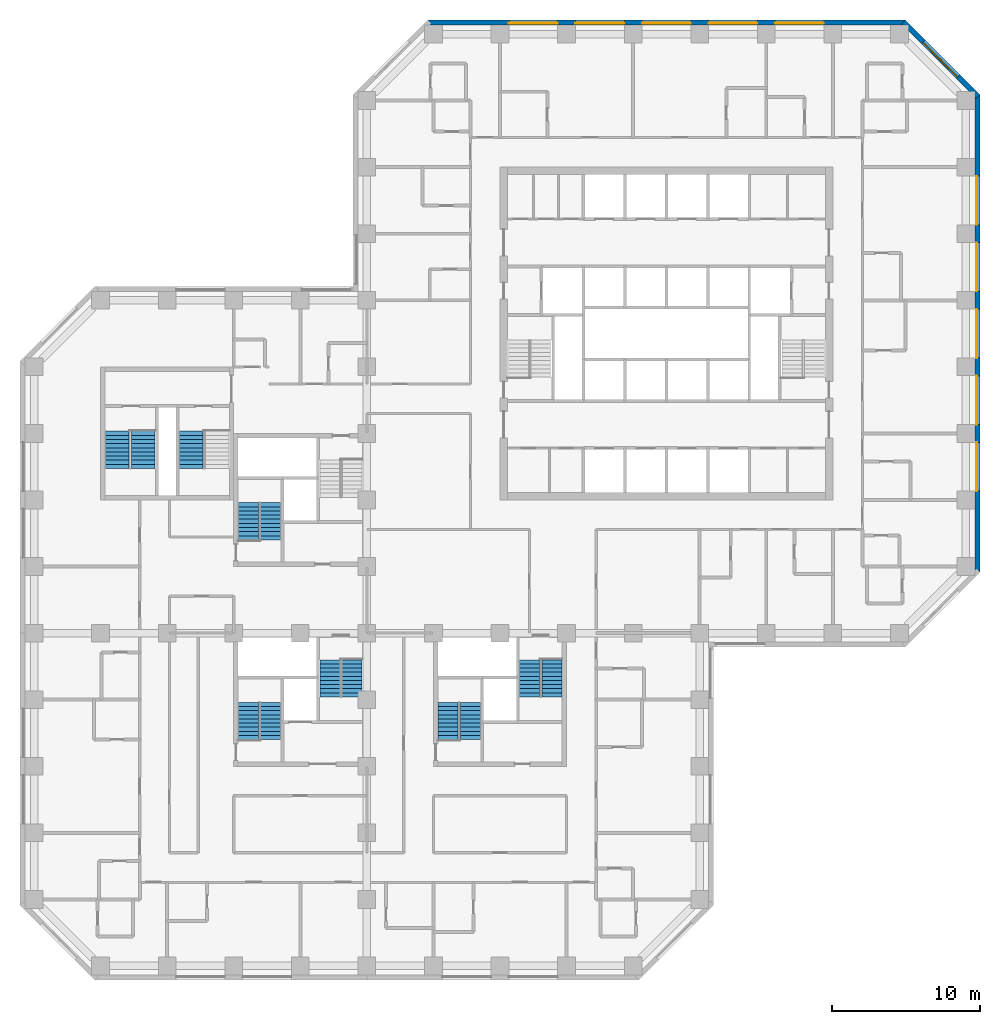
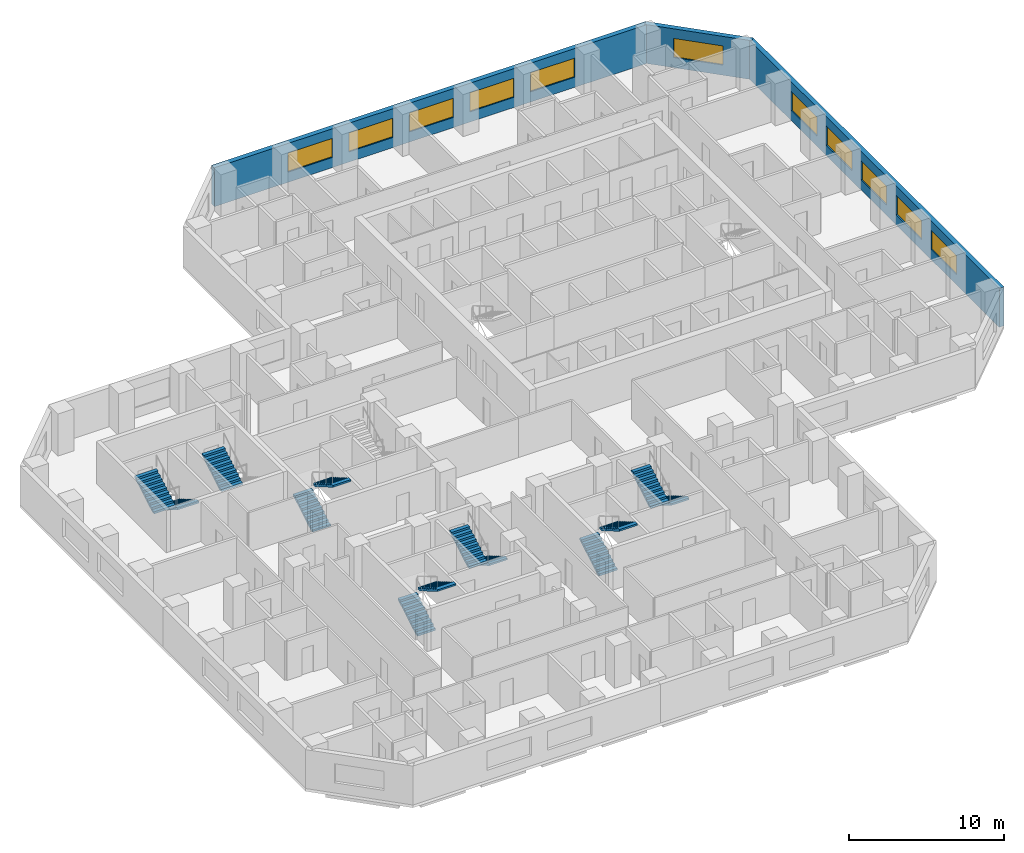
# One storey, part 10 of 12: 13 stair flights, 11 windows, 3 walls, 11 openings, 7 elements without a shape of their own.
"""IFC4 building model written with IfcOpenShell, lengths in metres."""

from ifc_helpers import new_model, si_unit, direction, frame, frame_2d, origin, place, context, subcontext, project, spatial, polyline, rectangle, outline, extrude, material, layer, layer_set, constituent, constituent_set, type_object, element, fill, aggregate, save


model = new_model("IFC4")

# Units and contexts
model_context = context("Model", 3, precision=1e-05, world=origin(), true_north=direction((0.0, 1.0)))
body_context = subcontext(model_context, "Body", "Model", "MODEL_VIEW")
ifc_project = project(units=[si_unit("LENGTHUNIT", "METRE"), si_unit("AREAUNIT", "SQUARE_METRE"), si_unit("VOLUMEUNIT", "CUBIC_METRE"), si_unit("PLANEANGLEUNIT", "RADIAN"), si_unit("MASSUNIT", "GRAM", prefix="KILO")], contexts=[model_context])

# Site, building, storey
site_placement = place(None, origin())
site = spatial("IfcSite", under=ifc_project, at=site_placement, CompositionType="ELEMENT")
building_placement = place(site_placement, origin())
building = spatial("IfcBuilding", under=site, at=building_placement, Name="Quoin Convention Tower", CompositionType="ELEMENT")
storey_placement = place(building_placement, frame((0.0, 0.0, 42.89990234375)))
storey = spatial("IfcBuildingStorey", under=building, at=storey_placement, Name="L10", CompositionType="ELEMENT", Elevation=42.89990234375)

# Wall, openings, windows
ifc_material_1 = material(Name="Brick masonry", Category="masonry")
ifc_layer = layer(ifc_material_1, 0.35009765625)
ifc_layer_set = layer_set([ifc_layer], Name="Brick masonry")
wall_type = type_object("IfcWallType", Name="Brick facade wall", PredefinedType="STANDARD", material=ifc_layer_set)
wall_1_placement = place(storey_placement, frame((77.27490234375, 44.6064453125, 0.0), z_axis=(0.0, 0.0, 1.0), x_axis=(0.0, 1.0, 0.0)))
wall_1 = element("IfcWall", 1, at=wall_1_placement, inside=storey, type_object=wall_type, Name="fw-L10-76500_45000", PredefinedType="STANDARD", context=body_context, shape_type="SweptSolid", body=[
    extrude(rectangle(XDim=32.287109375, YDim=0.35009765625, at=frame_2d((16.1435546875, 0.0))), origin(), (0.0, 0.0, 1.0), 3.05517578125),
])
opening_1_placement = place(wall_1_placement, frame((5.493408203125, 0.0, 0.800048828125)))
opening_1 = element("IfcOpeningElement", 2, at=opening_1_placement, cuts=wall_1, Name="Opening W-01", PredefinedType="OPENING", context=body_context, shape_type="SweptSolid", body=[
    extrude(rectangle(XDim=3.300048828125, YDim=1.5, at=frame_2d((1.64990234375, 0.75))), frame((0.0, 0.18505859375, 0.0), z_axis=(0.0, -1.0, 0.0), x_axis=(1.0, 0.0, 0.0)), (0.0, 0.0, 1.0), 0.3701171875),
])
opening_2_placement = place(wall_1_placement, frame((9.993408203125, 0.0, 0.800048828125)))
opening_2 = element("IfcOpeningElement", 3, at=opening_2_placement, cuts=wall_1, Name="Opening W-01", PredefinedType="OPENING", context=body_context, shape_type="SweptSolid", body=[
    extrude(rectangle(XDim=3.300048828125, YDim=1.5, at=frame_2d((1.64990234375, 0.75))), frame((0.0, 0.18505859375, 0.0), z_axis=(0.0, -1.0, 0.0), x_axis=(1.0, 0.0, 0.0)), (0.0, 0.0, 1.0), 0.3701171875),
])
opening_3_placement = place(wall_1_placement, frame((14.493408203125, 0.0, 0.800048828125)))
opening_3 = element("IfcOpeningElement", 4, at=opening_3_placement, cuts=wall_1, Name="Opening W-01", PredefinedType="OPENING", context=body_context, shape_type="SweptSolid", body=[
    extrude(rectangle(XDim=3.300048828125, YDim=1.5, at=frame_2d((1.64990234375, 0.75))), frame((0.0, 0.18505859375, 0.0), z_axis=(0.0, -1.0, 0.0), x_axis=(1.0, 0.0, 0.0)), (0.0, 0.0, 1.0), 0.3701171875),
])
opening_4_placement = place(wall_1_placement, frame((18.993408203125, 0.0, 0.800048828125)))
opening_4 = element("IfcOpeningElement", 5, at=opening_4_placement, cuts=wall_1, Name="Opening W-01", PredefinedType="OPENING", context=body_context, shape_type="SweptSolid", body=[
    extrude(rectangle(XDim=3.300048828125, YDim=1.5, at=frame_2d((1.64990234375, 0.75))), frame((0.0, 0.18505859375, 0.0), z_axis=(0.0, -1.0, 0.0), x_axis=(1.0, 0.0, 0.0)), (0.0, 0.0, 1.0), 0.3701171875),
])
opening_5_placement = place(wall_1_placement, frame((23.493408203125, 0.0, 0.800048828125)))
opening_5 = element("IfcOpeningElement", 6, at=opening_5_placement, cuts=wall_1, Name="Opening W-01", PredefinedType="OPENING", context=body_context, shape_type="SweptSolid", body=[
    extrude(rectangle(XDim=3.300048828125, YDim=1.5, at=frame_2d((1.64990234375, 0.75))), frame((0.0, 0.18505859375, 0.0), z_axis=(0.0, -1.0, 0.0), x_axis=(1.0, 0.0, 0.0)), (0.0, 0.0, 1.0), 0.3701171875),
])
ifc_material_2 = material(Name="Aluminium", Category="aluminium")
ifc_constituent_1 = constituent(ifc_material_2, Name="Frame")
ifc_material_3 = material(Name="Insulated glass", Category="glass")
ifc_constituent_2 = constituent(ifc_material_3, Name="Glazing")
ifc_constituent_set = constituent_set(constituents=[ifc_constituent_1, ifc_constituent_2], Name="Aluminium")
window_type = type_object("IfcWindowType", Name="Hotel strip window", PartitioningType="DOUBLE_PANEL_VERTICAL", PredefinedType="WINDOW", material=ifc_constituent_set)
window_1_placement = place(opening_1_placement, origin())
window_1 = element("IfcWindow", 7, at=window_1_placement, inside=storey, type_object=window_type, Name="win-L10-77275_51750", OverallHeight=1.5, OverallWidth=3.300048828125, PartitioningType="SINGLE_PANEL", PredefinedType="WINDOW", context=body_context, shape_type="SweptSolid", body=[
    extrude(rectangle(XDim=3.300048828125, YDim=1.5, at=frame_2d((1.64990234375, 0.75))), frame((0.0, 0.0849609375, 0.0), z_axis=(0.0, -1.0, 0.0), x_axis=(1.0, 0.0, 0.0)), (0.0, 0.0, 1.0), 0.06005859375),
])
fill(opening_1, window_1)
window_2_placement = place(opening_2_placement, origin())
window_2 = element("IfcWindow", 8, at=window_2_placement, inside=storey, type_object=window_type, Name="win-L10-77275_56250", OverallHeight=1.5, OverallWidth=3.300048828125, PartitioningType="SINGLE_PANEL", PredefinedType="WINDOW", context=body_context, shape_type="SweptSolid", body=[
    extrude(rectangle(XDim=3.300048828125, YDim=1.5, at=frame_2d((1.64990234375, 0.75))), frame((0.0, 0.0849609375, 0.0), z_axis=(0.0, -1.0, 0.0), x_axis=(1.0, 0.0, 0.0)), (0.0, 0.0, 1.0), 0.06005859375),
])
fill(opening_2, window_2)
window_3_placement = place(opening_3_placement, origin())
window_3 = element("IfcWindow", 9, at=window_3_placement, inside=storey, type_object=window_type, Name="win-L10-77275_60750", OverallHeight=1.5, OverallWidth=3.300048828125, PartitioningType="SINGLE_PANEL", PredefinedType="WINDOW", context=body_context, shape_type="SweptSolid", body=[
    extrude(rectangle(XDim=3.300048828125, YDim=1.5, at=frame_2d((1.64990234375, 0.75))), frame((0.0, 0.0849609375, 0.0), z_axis=(0.0, -1.0, 0.0), x_axis=(1.0, 0.0, 0.0)), (0.0, 0.0, 1.0), 0.06005859375),
])
fill(opening_3, window_3)
window_4_placement = place(opening_4_placement, origin())
window_4 = element("IfcWindow", 10, at=window_4_placement, inside=storey, type_object=window_type, Name="win-L10-77275_65250", OverallHeight=1.5, OverallWidth=3.300048828125, PartitioningType="SINGLE_PANEL", PredefinedType="WINDOW", context=body_context, shape_type="SweptSolid", body=[
    extrude(rectangle(XDim=3.300048828125, YDim=1.5, at=frame_2d((1.64990234375, 0.75))), frame((0.0, 0.0849609375, 0.0), z_axis=(0.0, -1.0, 0.0), x_axis=(1.0, 0.0, 0.0)), (0.0, 0.0, 1.0), 0.06005859375),
])
fill(opening_4, window_4)
window_5_placement = place(opening_5_placement, origin())
window_5 = element("IfcWindow", 11, at=window_5_placement, inside=storey, type_object=window_type, Name="win-L10-77275_69750", OverallHeight=1.5, OverallWidth=3.300048828125, PartitioningType="SINGLE_PANEL", PredefinedType="WINDOW", context=body_context, shape_type="SweptSolid", body=[
    extrude(rectangle(XDim=3.300048828125, YDim=1.5, at=frame_2d((1.64990234375, 0.75))), frame((0.0, 0.0849609375, 0.0), z_axis=(0.0, -1.0, 0.0), x_axis=(1.0, 0.0, 0.0)), (0.0, 0.0, 1.0), 0.06005859375),
])
fill(opening_5, window_5)

# Wall, opening, window
wall_2_placement = place(storey_placement, frame((77.326416015625, 76.769775390625, 0.0), z_axis=(0.0, 0.0, 1.0), x_axis=(-0.707106781187, 0.707106781187, 0.0)))
wall_2 = element("IfcWall", 12, at=wall_2_placement, inside=storey, type_object=wall_type, Name="fw-L10-76500_76500", PredefinedType="STANDARD", context=body_context, shape_type="SweptSolid", body=[
    extrude(rectangle(XDim=7.151123046875, YDim=0.35009765625, at=frame_2d((3.57568359375, 0.0))), origin(), (0.0, 0.0, 1.0), 3.05517578125),
])
opening_6_placement = place(wall_2_placement, frame((1.925537109375, 0.0, 0.800048828125)))
opening_6 = element("IfcOpeningElement", 13, at=opening_6_placement, cuts=wall_2, Name="Opening W-01", PredefinedType="OPENING", context=body_context, shape_type="SweptSolid", body=[
    extrude(rectangle(XDim=3.300048828125, YDim=1.5, at=frame_2d((1.64990234375, 0.75))), frame((0.0, 0.18505859375, 0.0), z_axis=(0.0, -1.0, 0.0), x_axis=(1.0, 0.0, 0.0)), (0.0, 0.0, 1.0), 0.3701171875),
])
window_6_placement = place(opening_6_placement, origin())
window_6 = element("IfcWindow", 14, at=window_6_placement, inside=storey, type_object=window_type, Name="win-L10-74798_79298", OverallHeight=1.5, OverallWidth=3.300048828125, PartitioningType="SINGLE_PANEL", PredefinedType="WINDOW", context=body_context, shape_type="SweptSolid", body=[
    extrude(rectangle(XDim=3.300048828125, YDim=1.5, at=frame_2d((1.64990234375, 0.75))), frame((0.0, 0.0849609375, 0.0), z_axis=(0.0, -1.0, 0.0), x_axis=(1.0, 0.0, 0.0)), (0.0, 0.0, 1.0), 0.06005859375),
])
fill(opening_6, window_6)

# Wall, openings, windows
wall_3_placement = place(storey_placement, frame((72.3935546875, 81.77490234375, 0.0), z_axis=(0.0, 0.0, 1.0), x_axis=(-1.0, 0.0, 0.0)))
wall_3 = element("IfcWall", 15, at=wall_3_placement, inside=storey, type_object=wall_type, Name="fw-L10-72000_81000", PredefinedType="STANDARD", context=body_context, shape_type="SweptSolid", body=[
    extrude(rectangle(XDim=32.287109375, YDim=0.35009765625, at=frame_2d((16.1435546875, 0.0))), origin(), (0.0, 0.0, 1.0), 3.05517578125),
])
opening_7_placement = place(wall_3_placement, frame((5.493408203125, 0.0, 0.800048828125)))
opening_7 = element("IfcOpeningElement", 16, at=opening_7_placement, cuts=wall_3, Name="Opening W-01", PredefinedType="OPENING", context=body_context, shape_type="SweptSolid", body=[
    extrude(rectangle(XDim=3.300048828125, YDim=1.5, at=frame_2d((1.64990234375, 0.75))), frame((0.0, 0.18505859375, 0.0), z_axis=(0.0, -1.0, 0.0), x_axis=(1.0, 0.0, 0.0)), (0.0, 0.0, 1.0), 0.3701171875),
])
opening_8_placement = place(wall_3_placement, frame((9.993408203125, 0.0, 0.800048828125)))
opening_8 = element("IfcOpeningElement", 17, at=opening_8_placement, cuts=wall_3, Name="Opening W-01", PredefinedType="OPENING", context=body_context, shape_type="SweptSolid", body=[
    extrude(rectangle(XDim=3.300048828125, YDim=1.5, at=frame_2d((1.64990234375, 0.75))), frame((0.0, 0.18505859375, 0.0), z_axis=(0.0, -1.0, 0.0), x_axis=(1.0, 0.0, 0.0)), (0.0, 0.0, 1.0), 0.3701171875),
])
opening_9_placement = place(wall_3_placement, frame((14.493408203125, 0.0, 0.800048828125)))
opening_9 = element("IfcOpeningElement", 18, at=opening_9_placement, cuts=wall_3, Name="Opening W-01", PredefinedType="OPENING", context=body_context, shape_type="SweptSolid", body=[
    extrude(rectangle(XDim=3.300048828125, YDim=1.5, at=frame_2d((1.64990234375, 0.75))), frame((0.0, 0.18505859375, 0.0), z_axis=(0.0, -1.0, 0.0), x_axis=(1.0, 0.0, 0.0)), (0.0, 0.0, 1.0), 0.3701171875),
])
opening_10_placement = place(wall_3_placement, frame((18.993408203125, 0.0, 0.800048828125)))
opening_10 = element("IfcOpeningElement", 19, at=opening_10_placement, cuts=wall_3, Name="Opening W-01", PredefinedType="OPENING", context=body_context, shape_type="SweptSolid", body=[
    extrude(rectangle(XDim=3.300048828125, YDim=1.5, at=frame_2d((1.64990234375, 0.75))), frame((0.0, 0.18505859375, 0.0), z_axis=(0.0, -1.0, 0.0), x_axis=(1.0, 0.0, 0.0)), (0.0, 0.0, 1.0), 0.3701171875),
])
opening_11_placement = place(wall_3_placement, frame((23.493408203125, 0.0, 0.800048828125)))
opening_11 = element("IfcOpeningElement", 20, at=opening_11_placement, cuts=wall_3, Name="Opening W-01", PredefinedType="OPENING", context=body_context, shape_type="SweptSolid", body=[
    extrude(rectangle(XDim=3.300048828125, YDim=1.5, at=frame_2d((1.64990234375, 0.75))), frame((0.0, 0.18505859375, 0.0), z_axis=(0.0, -1.0, 0.0), x_axis=(1.0, 0.0, 0.0)), (0.0, 0.0, 1.0), 0.3701171875),
])
window_7_placement = place(opening_7_placement, origin())
window_7 = element("IfcWindow", 21, at=window_7_placement, inside=storey, type_object=window_type, Name="win-L10-65250_81775", OverallHeight=1.5, OverallWidth=3.300048828125, PartitioningType="SINGLE_PANEL", PredefinedType="WINDOW", context=body_context, shape_type="SweptSolid", body=[
    extrude(rectangle(XDim=3.300048828125, YDim=1.5, at=frame_2d((1.64990234375, 0.75))), frame((0.0, 0.0849609375, 0.0), z_axis=(0.0, -1.0, 0.0), x_axis=(1.0, 0.0, 0.0)), (0.0, 0.0, 1.0), 0.06005859375),
])
fill(opening_7, window_7)
window_8_placement = place(opening_8_placement, origin())
window_8 = element("IfcWindow", 22, at=window_8_placement, inside=storey, type_object=window_type, Name="win-L10-60750_81775", OverallHeight=1.5, OverallWidth=3.300048828125, PartitioningType="SINGLE_PANEL", PredefinedType="WINDOW", context=body_context, shape_type="SweptSolid", body=[
    extrude(rectangle(XDim=3.300048828125, YDim=1.5, at=frame_2d((1.64990234375, 0.75))), frame((0.0, 0.0849609375, 0.0), z_axis=(0.0, -1.0, 0.0), x_axis=(1.0, 0.0, 0.0)), (0.0, 0.0, 1.0), 0.06005859375),
])
fill(opening_8, window_8)
window_9_placement = place(opening_9_placement, origin())
window_9 = element("IfcWindow", 23, at=window_9_placement, inside=storey, type_object=window_type, Name="win-L10-56250_81775", OverallHeight=1.5, OverallWidth=3.300048828125, PartitioningType="SINGLE_PANEL", PredefinedType="WINDOW", context=body_context, shape_type="SweptSolid", body=[
    extrude(rectangle(XDim=3.300048828125, YDim=1.5, at=frame_2d((1.64990234375, 0.75))), frame((0.0, 0.0849609375, 0.0), z_axis=(0.0, -1.0, 0.0), x_axis=(1.0, 0.0, 0.0)), (0.0, 0.0, 1.0), 0.06005859375),
])
fill(opening_9, window_9)
window_10_placement = place(opening_10_placement, origin())
window_10 = element("IfcWindow", 24, at=window_10_placement, inside=storey, type_object=window_type, Name="win-L10-51750_81775", OverallHeight=1.5, OverallWidth=3.300048828125, PartitioningType="SINGLE_PANEL", PredefinedType="WINDOW", context=body_context, shape_type="SweptSolid", body=[
    extrude(rectangle(XDim=3.300048828125, YDim=1.5, at=frame_2d((1.64990234375, 0.75))), frame((0.0, 0.0849609375, 0.0), z_axis=(0.0, -1.0, 0.0), x_axis=(1.0, 0.0, 0.0)), (0.0, 0.0, 1.0), 0.06005859375),
])
fill(opening_10, window_10)
window_11_placement = place(opening_11_placement, origin())
window_11 = element("IfcWindow", 25, at=window_11_placement, inside=storey, type_object=window_type, Name="win-L10-47250_81775", OverallHeight=1.5, OverallWidth=3.300048828125, PartitioningType="SINGLE_PANEL", PredefinedType="WINDOW", context=body_context, shape_type="SweptSolid", body=[
    extrude(rectangle(XDim=3.300048828125, YDim=1.5, at=frame_2d((1.64990234375, 0.75))), frame((0.0, 0.0849609375, 0.0), z_axis=(0.0, -1.0, 0.0), x_axis=(1.0, 0.0, 0.0)), (0.0, 0.0, 1.0), 0.06005859375),
])
fill(opening_11, window_11)

# Stair, stair flights
ifc_material_4 = material(Name="Concrete C40", Category="concrete")
stair_type_1 = type_object("IfcStairType", Name="Exit stair two-flight 1350", PredefinedType="HALF_TURN_STAIR", material=ifc_material_4)
stair_1_placement = place(storey_placement, origin())
stair_1 = element("IfcStair", 26, at=stair_1_placement, inside=storey, type_object=stair_type_1, Name="SD3 L10", PredefinedType="HALF_TURN_STAIR")
stair_flight_type_1 = type_object("IfcStairFlightType", Name="Stair flight 1350", PredefinedType="STRAIGHT", material=ifc_material_4)
stair_flight_1_placement = place(storey_placement, frame((28.0, 46.800048828125, 0.0), z_axis=(0.0, 0.0, 1.0), x_axis=(0.0, 1.0, 0.0)))
stair_flight_1 = element("IfcStairFlight", 27, at=stair_flight_1_placement, type_object=stair_flight_type_1, Name="ST3 flight 1", NumberOfRisers=10, NumberOfTreads=9, PredefinedType="STRAIGHT", RiserHeight=0.165, TreadLength=0.28, context=body_context, shape_type="SweptSolid", body=[
    extrude(outline(polyline([(0.0, 0.0), (0.0, 0.1650390625), (0.280029296875, 0.1650390625), (0.280029296875, 0.330078125), (0.56005859375, 0.330078125), (0.56005859375, 0.4951171875), (0.840087890625, 0.4951171875), (0.840087890625, 0.659912109375), (1.1201171875, 0.659912109375), (1.1201171875, 0.824951171875), (1.39990234375, 0.824951171875), (1.39990234375, 0.989990234375), (1.679931640625, 0.989990234375), (1.679931640625, 1.155029296875), (1.9599609375, 1.155029296875), (1.9599609375, 1.320068359375), (2.239990234375, 1.320068359375), (2.239990234375, 1.485107421875), (2.52001953125, 1.485107421875), (2.52001953125, 1.64990234375), (2.52001953125, 1.345458984375), (0.236572265625, 0.0), (0.0, 0.0)])), frame((0.0, 0.675048828125, 0.0), z_axis=(0.0, -1.0, 0.0), x_axis=(1.0, 0.0, 0.0)), (0.0, 0.0, 1.0), 1.35009765625),
])
stair_flight_2_placement = place(storey_placement, frame((29.5, 49.320068359375, 1.650146484375), z_axis=(0.0, 0.0, 1.0), x_axis=(0.0, -1.0, 0.0)))
stair_flight_2 = element("IfcStairFlight", 28, at=stair_flight_2_placement, type_object=stair_flight_type_1, Name="ST3 flight 2", NumberOfRisers=10, NumberOfTreads=9, PredefinedType="STRAIGHT", RiserHeight=0.165, TreadLength=0.28, context=body_context, shape_type="SweptSolid", body=[
    extrude(outline(polyline([(0.0, 0.0), (0.0, 0.1650390625), (0.280029296875, 0.1650390625), (0.280029296875, 0.330078125), (0.56005859375, 0.330078125), (0.56005859375, 0.4951171875), (0.840087890625, 0.4951171875), (0.840087890625, 0.659912109375), (1.1201171875, 0.659912109375), (1.1201171875, 0.824951171875), (1.39990234375, 0.824951171875), (1.39990234375, 0.989990234375), (1.679931640625, 0.989990234375), (1.679931640625, 1.155029296875), (1.9599609375, 1.155029296875), (1.9599609375, 1.320068359375), (2.239990234375, 1.320068359375), (2.239990234375, 1.485107421875), (2.52001953125, 1.485107421875), (2.52001953125, 1.64990234375), (2.52001953125, 1.345458984375), (0.236572265625, 0.0), (0.0, 0.0)])), frame((0.0, 0.675048828125, 0.0), z_axis=(0.0, -1.0, 0.0), x_axis=(1.0, 0.0, 0.0)), (0.0, 0.0, 1.0), 1.35009765625),
])
aggregate(stair_1, [stair_flight_1, stair_flight_2])

stair_2_placement = place(storey_placement, origin())
stair_2 = element("IfcStair", 29, at=stair_2_placement, inside=storey, type_object=stair_type_1, Name="SD5 L10", PredefinedType="HALF_TURN_STAIR")
stair_flight_3_placement = place(storey_placement, frame((41.5, 33.300048828125, 0.0), z_axis=(0.0, 0.0, 1.0), x_axis=(0.0, 1.0, 0.0)))
stair_flight_3 = element("IfcStairFlight", 30, at=stair_flight_3_placement, type_object=stair_flight_type_1, Name="ST5 flight 1", NumberOfRisers=10, NumberOfTreads=9, PredefinedType="STRAIGHT", RiserHeight=0.165, TreadLength=0.28, context=body_context, shape_type="SweptSolid", body=[
    extrude(outline(polyline([(0.0, 0.0), (0.0, 0.1650390625), (0.280029296875, 0.1650390625), (0.280029296875, 0.330078125), (0.56005859375, 0.330078125), (0.56005859375, 0.4951171875), (0.840087890625, 0.4951171875), (0.840087890625, 0.659912109375), (1.1201171875, 0.659912109375), (1.1201171875, 0.824951171875), (1.39990234375, 0.824951171875), (1.39990234375, 0.989990234375), (1.679931640625, 0.989990234375), (1.679931640625, 1.155029296875), (1.9599609375, 1.155029296875), (1.9599609375, 1.320068359375), (2.239990234375, 1.320068359375), (2.239990234375, 1.485107421875), (2.52001953125, 1.485107421875), (2.52001953125, 1.64990234375), (2.52001953125, 1.345458984375), (0.236572265625, 0.0), (0.0, 0.0)])), frame((0.0, 0.675048828125, 0.0), z_axis=(0.0, -1.0, 0.0), x_axis=(1.0, 0.0, 0.0)), (0.0, 0.0, 1.0), 1.35009765625),
])
stair_flight_4_placement = place(storey_placement, frame((43.0, 35.820068359375, 1.650146484375), z_axis=(0.0, 0.0, 1.0), x_axis=(0.0, -1.0, 0.0)))
stair_flight_4 = element("IfcStairFlight", 31, at=stair_flight_4_placement, type_object=stair_flight_type_1, Name="ST5 flight 2", NumberOfRisers=10, NumberOfTreads=9, PredefinedType="STRAIGHT", RiserHeight=0.165, TreadLength=0.28, context=body_context, shape_type="SweptSolid", body=[
    extrude(outline(polyline([(0.0, 0.0), (0.0, 0.1650390625), (0.280029296875, 0.1650390625), (0.280029296875, 0.330078125), (0.56005859375, 0.330078125), (0.56005859375, 0.4951171875), (0.840087890625, 0.4951171875), (0.840087890625, 0.659912109375), (1.1201171875, 0.659912109375), (1.1201171875, 0.824951171875), (1.39990234375, 0.824951171875), (1.39990234375, 0.989990234375), (1.679931640625, 0.989990234375), (1.679931640625, 1.155029296875), (1.9599609375, 1.155029296875), (1.9599609375, 1.320068359375), (2.239990234375, 1.320068359375), (2.239990234375, 1.485107421875), (2.52001953125, 1.485107421875), (2.52001953125, 1.64990234375), (2.52001953125, 1.345458984375), (0.236572265625, 0.0), (0.0, 0.0)])), frame((0.0, 0.675048828125, 0.0), z_axis=(0.0, -1.0, 0.0), x_axis=(1.0, 0.0, 0.0)), (0.0, 0.0, 1.0), 1.35009765625),
])
aggregate(stair_2, [stair_flight_3, stair_flight_4])

stair_3_placement = place(storey_placement, origin())
stair_3 = element("IfcStair", 32, at=stair_3_placement, inside=storey, type_object=stair_type_1, Name="SD6 L10", PredefinedType="HALF_TURN_STAIR")
stair_flight_5_placement = place(storey_placement, frame((48.5, 38.699951171875, 0.0), z_axis=(0.0, 0.0, 1.0), x_axis=(0.0, -1.0, 0.0)))
stair_flight_5 = element("IfcStairFlight", 33, at=stair_flight_5_placement, type_object=stair_flight_type_1, Name="ST6 flight 1", NumberOfRisers=10, NumberOfTreads=9, PredefinedType="STRAIGHT", RiserHeight=0.165, TreadLength=0.28, context=body_context, shape_type="SweptSolid", body=[
    extrude(outline(polyline([(0.0, 0.0), (0.0, 0.1650390625), (0.280029296875, 0.1650390625), (0.280029296875, 0.330078125), (0.56005859375, 0.330078125), (0.56005859375, 0.4951171875), (0.840087890625, 0.4951171875), (0.840087890625, 0.659912109375), (1.1201171875, 0.659912109375), (1.1201171875, 0.824951171875), (1.39990234375, 0.824951171875), (1.39990234375, 0.989990234375), (1.679931640625, 0.989990234375), (1.679931640625, 1.155029296875), (1.9599609375, 1.155029296875), (1.9599609375, 1.320068359375), (2.239990234375, 1.320068359375), (2.239990234375, 1.485107421875), (2.52001953125, 1.485107421875), (2.52001953125, 1.64990234375), (2.52001953125, 1.345458984375), (0.236572265625, 0.0), (0.0, 0.0)])), frame((0.0, 0.675048828125, 0.0), z_axis=(0.0, -1.0, 0.0), x_axis=(1.0, 0.0, 0.0)), (0.0, 0.0, 1.0), 1.35009765625),
])
stair_flight_6_placement = place(storey_placement, frame((47.0, 36.179931640625, 1.650146484375), z_axis=(0.0, 0.0, 1.0), x_axis=(0.0, 1.0, 0.0)))
stair_flight_6 = element("IfcStairFlight", 34, at=stair_flight_6_placement, type_object=stair_flight_type_1, Name="ST6 flight 2", NumberOfRisers=10, NumberOfTreads=9, PredefinedType="STRAIGHT", RiserHeight=0.165, TreadLength=0.28, context=body_context, shape_type="SweptSolid", body=[
    extrude(outline(polyline([(0.0, 0.0), (0.0, 0.1650390625), (0.280029296875, 0.1650390625), (0.280029296875, 0.330078125), (0.56005859375, 0.330078125), (0.56005859375, 0.4951171875), (0.840087890625, 0.4951171875), (0.840087890625, 0.659912109375), (1.1201171875, 0.659912109375), (1.1201171875, 0.824951171875), (1.39990234375, 0.824951171875), (1.39990234375, 0.989990234375), (1.679931640625, 0.989990234375), (1.679931640625, 1.155029296875), (1.9599609375, 1.155029296875), (1.9599609375, 1.320068359375), (2.239990234375, 1.320068359375), (2.239990234375, 1.485107421875), (2.52001953125, 1.485107421875), (2.52001953125, 1.64990234375), (2.52001953125, 1.345458984375), (0.236572265625, 0.0), (0.0, 0.0)])), frame((0.0, 0.675048828125, 0.0), z_axis=(0.0, -1.0, 0.0), x_axis=(1.0, 0.0, 0.0)), (0.0, 0.0, 1.0), 1.35009765625),
])
aggregate(stair_3, [stair_flight_5, stair_flight_6])

stair_4_placement = place(storey_placement, origin())
stair_4 = element("IfcStair", 35, at=stair_4_placement, inside=storey, type_object=stair_type_1, Name="SD7 L10", PredefinedType="HALF_TURN_STAIR")
stair_flight_7_placement = place(storey_placement, frame((28.0, 33.300048828125, 0.0), z_axis=(0.0, 0.0, 1.0), x_axis=(0.0, 1.0, 0.0)))
stair_flight_7 = element("IfcStairFlight", 36, at=stair_flight_7_placement, type_object=stair_flight_type_1, Name="ST7 flight 1", NumberOfRisers=10, NumberOfTreads=9, PredefinedType="STRAIGHT", RiserHeight=0.165, TreadLength=0.28, context=body_context, shape_type="SweptSolid", body=[
    extrude(outline(polyline([(0.0, 0.0), (0.0, 0.1650390625), (0.280029296875, 0.1650390625), (0.280029296875, 0.330078125), (0.56005859375, 0.330078125), (0.56005859375, 0.4951171875), (0.840087890625, 0.4951171875), (0.840087890625, 0.659912109375), (1.1201171875, 0.659912109375), (1.1201171875, 0.824951171875), (1.39990234375, 0.824951171875), (1.39990234375, 0.989990234375), (1.679931640625, 0.989990234375), (1.679931640625, 1.155029296875), (1.9599609375, 1.155029296875), (1.9599609375, 1.320068359375), (2.239990234375, 1.320068359375), (2.239990234375, 1.485107421875), (2.52001953125, 1.485107421875), (2.52001953125, 1.64990234375), (2.52001953125, 1.345458984375), (0.236572265625, 0.0), (0.0, 0.0)])), frame((0.0, 0.675048828125, 0.0), z_axis=(0.0, -1.0, 0.0), x_axis=(1.0, 0.0, 0.0)), (0.0, 0.0, 1.0), 1.35009765625),
])
stair_flight_8_placement = place(storey_placement, frame((29.5, 35.820068359375, 1.650146484375), z_axis=(0.0, 0.0, 1.0), x_axis=(0.0, -1.0, 0.0)))
stair_flight_8 = element("IfcStairFlight", 37, at=stair_flight_8_placement, type_object=stair_flight_type_1, Name="ST7 flight 2", NumberOfRisers=10, NumberOfTreads=9, PredefinedType="STRAIGHT", RiserHeight=0.165, TreadLength=0.28, context=body_context, shape_type="SweptSolid", body=[
    extrude(outline(polyline([(0.0, 0.0), (0.0, 0.1650390625), (0.280029296875, 0.1650390625), (0.280029296875, 0.330078125), (0.56005859375, 0.330078125), (0.56005859375, 0.4951171875), (0.840087890625, 0.4951171875), (0.840087890625, 0.659912109375), (1.1201171875, 0.659912109375), (1.1201171875, 0.824951171875), (1.39990234375, 0.824951171875), (1.39990234375, 0.989990234375), (1.679931640625, 0.989990234375), (1.679931640625, 1.155029296875), (1.9599609375, 1.155029296875), (1.9599609375, 1.320068359375), (2.239990234375, 1.320068359375), (2.239990234375, 1.485107421875), (2.52001953125, 1.485107421875), (2.52001953125, 1.64990234375), (2.52001953125, 1.345458984375), (0.236572265625, 0.0), (0.0, 0.0)])), frame((0.0, 0.675048828125, 0.0), z_axis=(0.0, -1.0, 0.0), x_axis=(1.0, 0.0, 0.0)), (0.0, 0.0, 1.0), 1.35009765625),
])
aggregate(stair_4, [stair_flight_7, stair_flight_8])

stair_5_placement = place(storey_placement, origin())
stair_5 = element("IfcStair", 38, at=stair_5_placement, inside=storey, type_object=stair_type_1, Name="SD8 L10", PredefinedType="HALF_TURN_STAIR")
stair_flight_9_placement = place(storey_placement, frame((35.0, 38.699951171875, 0.0), z_axis=(0.0, 0.0, 1.0), x_axis=(0.0, -1.0, 0.0)))
stair_flight_9 = element("IfcStairFlight", 39, at=stair_flight_9_placement, type_object=stair_flight_type_1, Name="ST8 flight 1", NumberOfRisers=10, NumberOfTreads=9, PredefinedType="STRAIGHT", RiserHeight=0.165, TreadLength=0.28, context=body_context, shape_type="SweptSolid", body=[
    extrude(outline(polyline([(0.0, 0.0), (0.0, 0.1650390625), (0.280029296875, 0.1650390625), (0.280029296875, 0.330078125), (0.56005859375, 0.330078125), (0.56005859375, 0.4951171875), (0.840087890625, 0.4951171875), (0.840087890625, 0.659912109375), (1.1201171875, 0.659912109375), (1.1201171875, 0.824951171875), (1.39990234375, 0.824951171875), (1.39990234375, 0.989990234375), (1.679931640625, 0.989990234375), (1.679931640625, 1.155029296875), (1.9599609375, 1.155029296875), (1.9599609375, 1.320068359375), (2.239990234375, 1.320068359375), (2.239990234375, 1.485107421875), (2.52001953125, 1.485107421875), (2.52001953125, 1.64990234375), (2.52001953125, 1.345458984375), (0.236572265625, 0.0), (0.0, 0.0)])), frame((0.0, 0.675048828125, 0.0), z_axis=(0.0, -1.0, 0.0), x_axis=(1.0, 0.0, 0.0)), (0.0, 0.0, 1.0), 1.35009765625),
])
stair_flight_10_placement = place(storey_placement, frame((33.5, 36.179931640625, 1.650146484375), z_axis=(0.0, 0.0, 1.0), x_axis=(0.0, 1.0, 0.0)))
stair_flight_10 = element("IfcStairFlight", 40, at=stair_flight_10_placement, type_object=stair_flight_type_1, Name="ST8 flight 2", NumberOfRisers=10, NumberOfTreads=9, PredefinedType="STRAIGHT", RiserHeight=0.165, TreadLength=0.28, context=body_context, shape_type="SweptSolid", body=[
    extrude(outline(polyline([(0.0, 0.0), (0.0, 0.1650390625), (0.280029296875, 0.1650390625), (0.280029296875, 0.330078125), (0.56005859375, 0.330078125), (0.56005859375, 0.4951171875), (0.840087890625, 0.4951171875), (0.840087890625, 0.659912109375), (1.1201171875, 0.659912109375), (1.1201171875, 0.824951171875), (1.39990234375, 0.824951171875), (1.39990234375, 0.989990234375), (1.679931640625, 0.989990234375), (1.679931640625, 1.155029296875), (1.9599609375, 1.155029296875), (1.9599609375, 1.320068359375), (2.239990234375, 1.320068359375), (2.239990234375, 1.485107421875), (2.52001953125, 1.485107421875), (2.52001953125, 1.64990234375), (2.52001953125, 1.345458984375), (0.236572265625, 0.0), (0.0, 0.0)])), frame((0.0, 0.675048828125, 0.0), z_axis=(0.0, -1.0, 0.0), x_axis=(1.0, 0.0, 0.0)), (0.0, 0.0, 1.0), 1.35009765625),
])
aggregate(stair_5, [stair_flight_9, stair_flight_10])

stair_type_2 = type_object("IfcStairType", Name="Exit stair two-flight 1600", PredefinedType="HALF_TURN_STAIR", material=ifc_material_4)
stair_6_placement = place(storey_placement, origin())
stair_6 = element("IfcStair", 41, at=stair_6_placement, inside=storey, type_object=stair_type_2, Name="SD11 L10", PredefinedType="HALF_TURN_STAIR")
stair_flight_type_2 = type_object("IfcStairFlightType", Name="Stair flight 1600", PredefinedType="STRAIGHT", material=ifc_material_4)
stair_flight_11_placement = place(storey_placement, frame((20.875, 54.14990234375, 0.0), z_axis=(0.0, 0.0, 1.0), x_axis=(0.0, -1.0, 0.0)))
stair_flight_11 = element("IfcStairFlight", 42, at=stair_flight_11_placement, type_object=stair_flight_type_2, Name="ST11 flight 1", NumberOfRisers=10, NumberOfTreads=9, PredefinedType="STRAIGHT", RiserHeight=0.165, TreadLength=0.28, context=body_context, shape_type="SweptSolid", body=[
    extrude(outline(polyline([(0.0, 0.0), (0.0, 0.1650390625), (0.280029296875, 0.1650390625), (0.280029296875, 0.330078125), (0.56005859375, 0.330078125), (0.56005859375, 0.4951171875), (0.840087890625, 0.4951171875), (0.840087890625, 0.659912109375), (1.1201171875, 0.659912109375), (1.1201171875, 0.824951171875), (1.39990234375, 0.824951171875), (1.39990234375, 0.989990234375), (1.679931640625, 0.989990234375), (1.679931640625, 1.155029296875), (1.9599609375, 1.155029296875), (1.9599609375, 1.320068359375), (2.239990234375, 1.320068359375), (2.239990234375, 1.485107421875), (2.52001953125, 1.485107421875), (2.52001953125, 1.64990234375), (2.52001953125, 1.345458984375), (0.236572265625, 0.0), (0.0, 0.0)])), frame((0.0, 0.800048828125, 0.0), z_axis=(0.0, -1.0, 0.0), x_axis=(1.0, 0.0, 0.0)), (0.0, 0.0, 1.0), 1.60009765625),
])
stair_flight_12_placement = place(storey_placement, frame((19.125, 51.6298828125, 1.650146484375), z_axis=(0.0, 0.0, 1.0), x_axis=(0.0, 1.0, 0.0)))
stair_flight_12 = element("IfcStairFlight", 43, at=stair_flight_12_placement, type_object=stair_flight_type_2, Name="ST11 flight 2", NumberOfRisers=10, NumberOfTreads=9, PredefinedType="STRAIGHT", RiserHeight=0.165, TreadLength=0.28, context=body_context, shape_type="SweptSolid", body=[
    extrude(outline(polyline([(0.0, 0.0), (0.0, 0.1650390625), (0.280029296875, 0.1650390625), (0.280029296875, 0.330078125), (0.56005859375, 0.330078125), (0.56005859375, 0.4951171875), (0.840087890625, 0.4951171875), (0.840087890625, 0.659912109375), (1.1201171875, 0.659912109375), (1.1201171875, 0.824951171875), (1.39990234375, 0.824951171875), (1.39990234375, 0.989990234375), (1.679931640625, 0.989990234375), (1.679931640625, 1.155029296875), (1.9599609375, 1.155029296875), (1.9599609375, 1.320068359375), (2.239990234375, 1.320068359375), (2.239990234375, 1.485107421875), (2.52001953125, 1.485107421875), (2.52001953125, 1.64990234375), (2.52001953125, 1.345458984375), (0.236572265625, 0.0), (0.0, 0.0)])), frame((0.0, 0.800048828125, 0.0), z_axis=(0.0, -1.0, 0.0), x_axis=(1.0, 0.0, 0.0)), (0.0, 0.0, 1.0), 1.60009765625),
])
aggregate(stair_6, [stair_flight_11, stair_flight_12])

# Stair, stair flight
stair_7_placement = place(storey_placement, origin())
stair_7 = element("IfcStair", 44, at=stair_7_placement, inside=storey, type_object=stair_type_2, Name="SD12 L10", PredefinedType="HALF_TURN_STAIR")
stair_flight_13_placement = place(storey_placement, frame((24.125, 51.6298828125, 1.650146484375), z_axis=(0.0, 0.0, 1.0), x_axis=(0.0, 1.0, 0.0)))
stair_flight_13 = element("IfcStairFlight", 45, at=stair_flight_13_placement, type_object=stair_flight_type_2, Name="ST12 flight 2", NumberOfRisers=10, NumberOfTreads=9, PredefinedType="STRAIGHT", RiserHeight=0.165, TreadLength=0.28, context=body_context, shape_type="SweptSolid", body=[
    extrude(outline(polyline([(0.0, 0.0), (0.0, 0.1650390625), (0.280029296875, 0.1650390625), (0.280029296875, 0.330078125), (0.56005859375, 0.330078125), (0.56005859375, 0.4951171875), (0.840087890625, 0.4951171875), (0.840087890625, 0.659912109375), (1.1201171875, 0.659912109375), (1.1201171875, 0.824951171875), (1.39990234375, 0.824951171875), (1.39990234375, 0.989990234375), (1.679931640625, 0.989990234375), (1.679931640625, 1.155029296875), (1.9599609375, 1.155029296875), (1.9599609375, 1.320068359375), (2.239990234375, 1.320068359375), (2.239990234375, 1.485107421875), (2.52001953125, 1.485107421875), (2.52001953125, 1.64990234375), (2.52001953125, 1.345458984375), (0.236572265625, 0.0), (0.0, 0.0)])), frame((0.0, 0.800048828125, 0.0), z_axis=(0.0, -1.0, 0.0), x_axis=(1.0, 0.0, 0.0)), (0.0, 0.0, 1.0), 1.60009765625),
])
aggregate(stair_7, [stair_flight_13])

save(model, "model.ifc")
